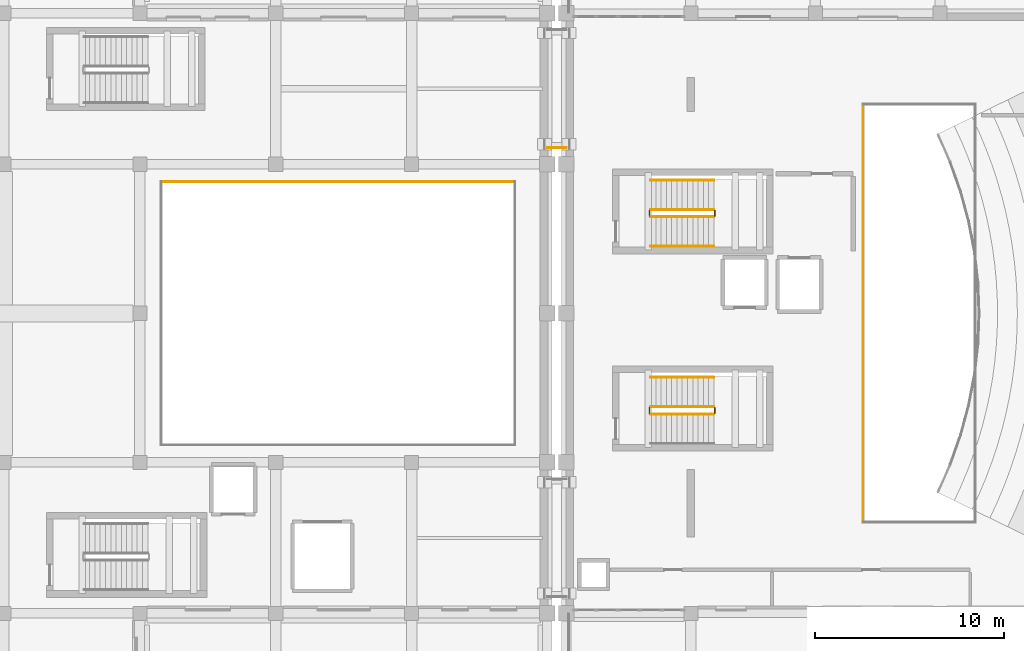
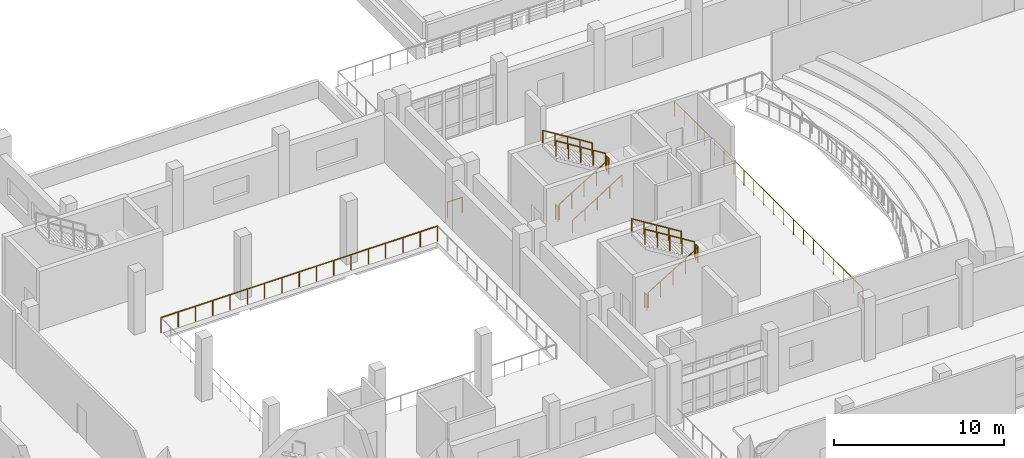
# One storey, part 50 of 54: 14 railings.
"""IFC4 building model written with IfcOpenShell, lengths in metres."""

from ifc_helpers import new_model, si_unit, direction, frame, origin, origin_2d, place, context, subcontext, project, spatial, circle, extrude, material, type_object, element, save


model = new_model("IFC4")

# Units and contexts
model_context = context("Model", 3, precision=1e-05, world=origin(), true_north=direction((0.0, 1.0)))
body_context = subcontext(model_context, "Body", "Model", "MODEL_VIEW")
ifc_project = project(units=[si_unit("LENGTHUNIT", "METRE"), si_unit("AREAUNIT", "SQUARE_METRE"), si_unit("VOLUMEUNIT", "CUBIC_METRE"), si_unit("PLANEANGLEUNIT", "RADIAN"), si_unit("MASSUNIT", "GRAM", prefix="KILO")], contexts=[model_context])

# Site, building, storey
site_placement = place(None, origin())
site = spatial("IfcSite", under=ifc_project, at=site_placement, CompositionType="ELEMENT")
building_placement = place(site_placement, origin())
building = spatial("IfcBuilding", under=site, at=building_placement, Name="Kelarvand Opera House", CompositionType="ELEMENT")
storey_placement = place(building_placement, frame((0.0, 0.0, 15.0)))
storey = spatial("IfcBuildingStorey", under=building, at=storey_placement, Name="L03", CompositionType="ELEMENT", Elevation=15.0)

# Railings
ifc_material_1 = material(Name="Brushed bronze tubular rail")
railing_type_1 = type_object("IfcRailingType", Name="Brushed Bronze Stair Wall Handrail 900", PredefinedType="HANDRAIL", material=ifc_material_1)
railing_1_placement = place(storey_placement, frame((93.4599609375, 66.050048828125, 0.173095703125)))
element("IfcRailing", 1, at=railing_1_placement, inside=storey, type_object=railing_type_1, Name="L03 ST-01 stair handrail 1", PredefinedType="HANDRAIL", context=body_context, shape_type="SweptSolid", body=[
    extrude(circle(Radius=0.02392578125, at=origin_2d()), frame((0.0, 0.0, 0.8759765625), z_axis=(0.850623216509, 0.0, 0.525775754039), x_axis=(0.0, 1.0, 0.0)), (0.0, 0.0, 1.0), 3.9501953125),
    extrude(circle(Radius=0.02099609375, at=origin_2d()), origin(), (0.0, 0.0, 1.0), 0.851806640625),
    extrude(circle(Radius=0.02099609375, at=origin_2d()), frame((0.840087890625, 0.0, 0.519287109375)), (0.0, 0.0, 1.0), 0.851806640625),
    extrude(circle(Radius=0.02099609375, at=origin_2d()), frame((1.68017578125, 0.0, 1.03857421875)), (0.0, 0.0, 1.0), 0.851806640625),
    extrude(circle(Radius=0.02099609375, at=origin_2d()), frame((2.52001953125, 0.0, 1.5576171875)), (0.0, 0.0, 1.0), 0.851806640625),
    extrude(circle(Radius=0.02099609375, at=origin_2d()), frame((3.360107421875, 0.0, 2.076904296875)), (0.0, 0.0, 1.0), 0.851806640625),
])
for number, where, name in (
    (2, (96.820068359375, 69.550048828125, 2.423095703125), "L03 ST-01 stair handrail 2"),
    (3, (96.820068359375, 59.10009765625, 2.423095703125), "L03 ST-04 stair handrail 2"),
):
    element("IfcRailing", number, at=place(storey_placement, frame(where)), inside=storey, type_object=railing_type_1, Name=name, PredefinedType="HANDRAIL", context=body_context, shape_type="SweptSolid", body=[
        extrude(circle(Radius=0.02392578125, at=origin_2d()), frame((0.0, 0.0, 0.8759765625), z_axis=(-0.850623216509, 0.0, 0.525775754039), x_axis=(0.0, -1.0, 0.0)), (0.0, 0.0, 1.0), 3.9501953125),
        extrude(circle(Radius=0.02099609375, at=origin_2d()), origin(), (0.0, 0.0, 1.0), 0.851806640625),
        extrude(circle(Radius=0.02099609375, at=origin_2d()), frame((-0.840087890625, 0.0, 0.519287109375)), (0.0, 0.0, 1.0), 0.851806640625),
        extrude(circle(Radius=0.02099609375, at=origin_2d()), frame((-1.68017578125, 0.0, 1.03857421875)), (0.0, 0.0, 1.0), 0.851806640625),
        extrude(circle(Radius=0.02099609375, at=origin_2d()), frame((-2.52001953125, 0.0, 1.5576171875)), (0.0, 0.0, 1.0), 0.851806640625),
        extrude(circle(Radius=0.02099609375, at=origin_2d()), frame((-3.360107421875, 0.0, 2.076904296875)), (0.0, 0.0, 1.0), 0.851806640625),
    ])
ifc_material_2 = material(Name="Laminated safety glass with bronze cap rail", Category="glass")
railing_type_2 = type_object("IfcRailingType", Name="Laminated Glass and Bronze Foyer Balustrade 1120", PredefinedType="BALUSTRADE", material=ifc_material_2)
railing_2_placement = place(storey_placement, frame((104.719970703125, 51.419921875, 0.0)))
element("IfcRailing", 4, at=railing_2_placement, inside=storey, type_object=railing_type_2, Name="V1 L03 Balustrade 83", PredefinedType="BALUSTRADE", context=body_context, shape_type="SweptSolid", body=[
    extrude(circle(Radius=0.02392578125, at=origin_2d()), frame((0.0, 0.0, 1.09619140625), z_axis=(0.0, 1.0, 0.0), x_axis=(-1.0, 0.0, 0.0)), (0.0, 0.0, 1.0), 22.16015625),
    extrude(circle(Radius=0.02099609375, at=origin_2d()), origin(), (0.0, 0.0, 1.0), 1.072021484375),
    extrude(circle(Radius=0.02099609375, at=origin_2d()), frame((0.0, 1.166259765625, 0.0)), (0.0, 0.0, 1.0), 1.072021484375),
    extrude(circle(Radius=0.02099609375, at=origin_2d()), frame((0.0, 2.332763671875, 0.0)), (0.0, 0.0, 1.0), 1.072021484375),
    extrude(circle(Radius=0.02099609375, at=origin_2d()), frame((0.0, 3.4990234375, 0.0)), (0.0, 0.0, 1.0), 1.072021484375),
    extrude(circle(Radius=0.02099609375, at=origin_2d()), frame((0.0, 4.665283203125, 0.0)), (0.0, 0.0, 1.0), 1.072021484375),
    extrude(circle(Radius=0.02099609375, at=origin_2d()), frame((0.0, 5.83154296875, 0.0)), (0.0, 0.0, 1.0), 1.072021484375),
    extrude(circle(Radius=0.02099609375, at=origin_2d()), frame((0.0, 6.998046875, 0.0)), (0.0, 0.0, 1.0), 1.072021484375),
    extrude(circle(Radius=0.02099609375, at=origin_2d()), frame((0.0, 8.164306640625, 0.0)), (0.0, 0.0, 1.0), 1.072021484375),
    extrude(circle(Radius=0.02099609375, at=origin_2d()), frame((0.0, 9.33056640625, 0.0)), (0.0, 0.0, 1.0), 1.072021484375),
    extrude(circle(Radius=0.02099609375, at=origin_2d()), frame((0.0, 10.496826171875, 0.0)), (0.0, 0.0, 1.0), 1.072021484375),
    extrude(circle(Radius=0.02099609375, at=origin_2d()), frame((0.0, 11.663330078125, 0.0)), (0.0, 0.0, 1.0), 1.072021484375),
    extrude(circle(Radius=0.02099609375, at=origin_2d()), frame((0.0, 12.82958984375, 0.0)), (0.0, 0.0, 1.0), 1.072021484375),
    extrude(circle(Radius=0.02099609375, at=origin_2d()), frame((0.0, 13.995849609375, 0.0)), (0.0, 0.0, 1.0), 1.072021484375),
    extrude(circle(Radius=0.02099609375, at=origin_2d()), frame((0.0, 15.162109375, 0.0)), (0.0, 0.0, 1.0), 1.072021484375),
    extrude(circle(Radius=0.02099609375, at=origin_2d()), frame((0.0, 16.32861328125, 0.0)), (0.0, 0.0, 1.0), 1.072021484375),
    extrude(circle(Radius=0.02099609375, at=origin_2d()), frame((0.0, 17.494873046875, 0.0)), (0.0, 0.0, 1.0), 1.072021484375),
    extrude(circle(Radius=0.02099609375, at=origin_2d()), frame((0.0, 18.6611328125, 0.0)), (0.0, 0.0, 1.0), 1.072021484375),
    extrude(circle(Radius=0.02099609375, at=origin_2d()), frame((0.0, 19.827392578125, 0.0)), (0.0, 0.0, 1.0), 1.072021484375),
    extrude(circle(Radius=0.02099609375, at=origin_2d()), frame((0.0, 20.993896484375, 0.0)), (0.0, 0.0, 1.0), 1.072021484375),
    extrude(circle(Radius=0.02099609375, at=origin_2d()), frame((0.0, 22.16015625, 0.0)), (0.0, 0.0, 1.0), 1.072021484375),
])
railing_3_placement = place(storey_placement, frame((88.0, 71.280029296875, 0.0)))
element("IfcRailing", 5, at=railing_3_placement, inside=storey, type_object=railing_type_2, Name="V1 L03 Balustrade 141", PredefinedType="BALUSTRADE", context=body_context, shape_type="SweptSolid", body=[
    extrude(circle(Radius=0.02392578125, at=origin_2d()), frame((0.0, 0.0, 1.09619140625), z_axis=(1.0, 0.0, 0.0), x_axis=(0.0, 1.0, 0.0)), (0.0, 0.0, 1.0), 1.0),
    extrude(circle(Radius=0.02099609375, at=origin_2d()), origin(), (0.0, 0.0, 1.0), 1.072021484375),
    extrude(circle(Radius=0.02099609375, at=origin_2d()), frame((1.0, 0.0, 0.0)), (0.0, 0.0, 1.0), 1.072021484375),
])
ifc_material_3 = material(Name="Powder-coated Steel S355", Category="steel")
railing_type_3 = type_object("IfcRailingType", Name="Painted Steel Stair and Void Guardrail 1100", PredefinedType="GUARDRAIL", material=ifc_material_3)
railing_4_placement = place(storey_placement, frame((93.4599609375, 67.610107421875, 0.173095703125)))
element("IfcRailing", 6, at=railing_4_placement, inside=storey, type_object=railing_type_3, Name="L03 ST-01 stair guard 1", PredefinedType="GUARDRAIL", context=body_context, shape_type="SweptSolid", body=[
    extrude(circle(Radius=0.02392578125, at=origin_2d()), frame((0.0, 0.0, 1.076171875), z_axis=(0.850623216509, 0.0, 0.525775754039), x_axis=(0.0, 1.0, 0.0)), (0.0, 0.0, 1.0), 3.9501953125),
    extrude(circle(Radius=0.02099609375, at=origin_2d()), origin(), (0.0, 0.0, 1.0), 1.052001953125),
    extrude(circle(Radius=0.02099609375, at=origin_2d()), frame((0.840087890625, 0.0, 0.519287109375)), (0.0, 0.0, 1.0), 1.052001953125),
    extrude(circle(Radius=0.02099609375, at=origin_2d()), frame((1.68017578125, 0.0, 1.03857421875)), (0.0, 0.0, 1.0), 1.052001953125),
    extrude(circle(Radius=0.02099609375, at=origin_2d()), frame((2.52001953125, 0.0, 1.5576171875)), (0.0, 0.0, 1.0), 1.052001953125),
    extrude(circle(Radius=0.02099609375, at=origin_2d()), frame((3.360107421875, 0.0, 2.076904296875)), (0.0, 0.0, 1.0), 1.052001953125),
])
railing_5_placement = place(storey_placement, frame((96.8701171875, 67.659912109375, 2.25)))
element("IfcRailing", 7, at=railing_5_placement, inside=storey, type_object=railing_type_3, Name="L03 ST-01 stair guard 2", PredefinedType="GUARDRAIL", context=body_context, shape_type="SweptSolid", body=[
    extrude(circle(Radius=0.02392578125, at=origin_2d()), frame((0.0, 0.0, 1.076171875), z_axis=(0.0, 1.0, 0.0), x_axis=(-1.0, 0.0, 0.0)), (0.0, 0.0, 1.0), 0.280029296875),
    extrude(circle(Radius=0.02099609375, at=origin_2d()), origin(), (0.0, 0.0, 1.0), 1.052001953125),
    extrude(circle(Radius=0.02099609375, at=origin_2d()), frame((0.0, 0.280029296875, 0.0)), (0.0, 0.0, 1.0), 1.052001953125),
])
railing_6_placement = place(storey_placement, frame((96.820068359375, 67.989990234375, 2.423095703125)))
element("IfcRailing", 8, at=railing_6_placement, inside=storey, type_object=railing_type_3, Name="L03 ST-01 stair guard 3", PredefinedType="GUARDRAIL", context=body_context, shape_type="SweptSolid", body=[
    extrude(circle(Radius=0.02392578125, at=origin_2d()), frame((0.0, 0.0, 1.076171875), z_axis=(-0.850623216509, 0.0, 0.525775754039), x_axis=(0.0, -1.0, 0.0)), (0.0, 0.0, 1.0), 3.9501953125),
    extrude(circle(Radius=0.02099609375, at=origin_2d()), origin(), (0.0, 0.0, 1.0), 1.052001953125),
    extrude(circle(Radius=0.02099609375, at=origin_2d()), frame((-0.840087890625, 0.0, 0.519287109375)), (0.0, 0.0, 1.0), 1.052001953125),
    extrude(circle(Radius=0.02099609375, at=origin_2d()), frame((-1.68017578125, 0.0, 1.03857421875)), (0.0, 0.0, 1.0), 1.052001953125),
    extrude(circle(Radius=0.02099609375, at=origin_2d()), frame((-2.52001953125, 0.0, 1.5576171875)), (0.0, 0.0, 1.0), 1.052001953125),
    extrude(circle(Radius=0.02099609375, at=origin_2d()), frame((-3.360107421875, 0.0, 2.076904296875)), (0.0, 0.0, 1.0), 1.052001953125),
])
railing_7_placement = place(storey_placement, frame((93.409912109375, 67.659912109375, 0.0)))
element("IfcRailing", 9, at=railing_7_placement, inside=storey, type_object=railing_type_3, Name="L03 ST-01 stair guard 4", PredefinedType="GUARDRAIL", context=body_context, shape_type="SweptSolid", body=[
    extrude(circle(Radius=0.02392578125, at=origin_2d()), frame((0.0, 0.0, 1.076171875), z_axis=(0.0, 1.0, 0.0), x_axis=(-1.0, 0.0, 0.0)), (0.0, 0.0, 1.0), 0.280029296875),
    extrude(circle(Radius=0.02099609375, at=origin_2d()), origin(), (0.0, 0.0, 1.0), 1.052001953125),
    extrude(circle(Radius=0.02099609375, at=origin_2d()), frame((0.0, 0.280029296875, 0.0)), (0.0, 0.0, 1.0), 1.052001953125),
])
railing_8_placement = place(storey_placement, frame((93.4599609375, 57.159912109375, 0.173095703125)))
element("IfcRailing", 10, at=railing_8_placement, inside=storey, type_object=railing_type_3, Name="L03 ST-04 stair guard 1", PredefinedType="GUARDRAIL", context=body_context, shape_type="SweptSolid", body=[
    extrude(circle(Radius=0.02392578125, at=origin_2d()), frame((0.0, 0.0, 1.076171875), z_axis=(0.850623216509, 0.0, 0.525775754039), x_axis=(0.0, 1.0, 0.0)), (0.0, 0.0, 1.0), 3.9501953125),
    extrude(circle(Radius=0.02099609375, at=origin_2d()), origin(), (0.0, 0.0, 1.0), 1.052001953125),
    extrude(circle(Radius=0.02099609375, at=origin_2d()), frame((0.840087890625, 0.0, 0.519287109375)), (0.0, 0.0, 1.0), 1.052001953125),
    extrude(circle(Radius=0.02099609375, at=origin_2d()), frame((1.68017578125, 0.0, 1.03857421875)), (0.0, 0.0, 1.0), 1.052001953125),
    extrude(circle(Radius=0.02099609375, at=origin_2d()), frame((2.52001953125, 0.0, 1.5576171875)), (0.0, 0.0, 1.0), 1.052001953125),
    extrude(circle(Radius=0.02099609375, at=origin_2d()), frame((3.360107421875, 0.0, 2.076904296875)), (0.0, 0.0, 1.0), 1.052001953125),
])
railing_9_placement = place(storey_placement, frame((96.8701171875, 57.2099609375, 2.25)))
element("IfcRailing", 11, at=railing_9_placement, inside=storey, type_object=railing_type_3, Name="L03 ST-04 stair guard 2", PredefinedType="GUARDRAIL", context=body_context, shape_type="SweptSolid", body=[
    extrude(circle(Radius=0.02392578125, at=origin_2d()), frame((0.0, 0.0, 1.076171875), z_axis=(0.0, 1.0, 0.0), x_axis=(-1.0, 0.0, 0.0)), (0.0, 0.0, 1.0), 0.280029296875),
    extrude(circle(Radius=0.02099609375, at=origin_2d()), origin(), (0.0, 0.0, 1.0), 1.052001953125),
    extrude(circle(Radius=0.02099609375, at=origin_2d()), frame((0.0, 0.280029296875, 0.0)), (0.0, 0.0, 1.0), 1.052001953125),
])
railing_10_placement = place(storey_placement, frame((96.820068359375, 57.5400390625, 2.423095703125)))
element("IfcRailing", 12, at=railing_10_placement, inside=storey, type_object=railing_type_3, Name="L03 ST-04 stair guard 3", PredefinedType="GUARDRAIL", context=body_context, shape_type="SweptSolid", body=[
    extrude(circle(Radius=0.02392578125, at=origin_2d()), frame((0.0, 0.0, 1.076171875), z_axis=(-0.850623216509, 0.0, 0.525775754039), x_axis=(0.0, -1.0, 0.0)), (0.0, 0.0, 1.0), 3.9501953125),
    extrude(circle(Radius=0.02099609375, at=origin_2d()), origin(), (0.0, 0.0, 1.0), 1.052001953125),
    extrude(circle(Radius=0.02099609375, at=origin_2d()), frame((-0.840087890625, 0.0, 0.519287109375)), (0.0, 0.0, 1.0), 1.052001953125),
    extrude(circle(Radius=0.02099609375, at=origin_2d()), frame((-1.68017578125, 0.0, 1.03857421875)), (0.0, 0.0, 1.0), 1.052001953125),
    extrude(circle(Radius=0.02099609375, at=origin_2d()), frame((-2.52001953125, 0.0, 1.5576171875)), (0.0, 0.0, 1.0), 1.052001953125),
    extrude(circle(Radius=0.02099609375, at=origin_2d()), frame((-3.360107421875, 0.0, 2.076904296875)), (0.0, 0.0, 1.0), 1.052001953125),
])
railing_11_placement = place(storey_placement, frame((93.409912109375, 57.2099609375, 0.0)))
element("IfcRailing", 13, at=railing_11_placement, inside=storey, type_object=railing_type_3, Name="L03 ST-04 stair guard 4", PredefinedType="GUARDRAIL", context=body_context, shape_type="SweptSolid", body=[
    extrude(circle(Radius=0.02392578125, at=origin_2d()), frame((0.0, 0.0, 1.076171875), z_axis=(0.0, 1.0, 0.0), x_axis=(-1.0, 0.0, 0.0)), (0.0, 0.0, 1.0), 0.280029296875),
    extrude(circle(Radius=0.02099609375, at=origin_2d()), origin(), (0.0, 0.0, 1.0), 1.052001953125),
    extrude(circle(Radius=0.02099609375, at=origin_2d()), frame((0.0, 0.280029296875, 0.0)), (0.0, 0.0, 1.0), 1.052001953125),
])
railing_12_placement = place(storey_placement, frame((67.52001953125, 69.47998046875, 0.0)))
element("IfcRailing", 14, at=railing_12_placement, inside=storey, type_object=railing_type_3, Name="V2 L03 Guardrail 88", PredefinedType="GUARDRAIL", context=body_context, shape_type="SweptSolid", body=[
    extrude(circle(Radius=0.02392578125, at=origin_2d()), frame((0.0, 0.0, 1.076171875), z_axis=(1.0, 0.0, 0.0), x_axis=(0.0, 1.0, 0.0)), (0.0, 0.0, 1.0), 18.760009765625),
    extrude(circle(Radius=0.02099609375, at=origin_2d()), origin(), (0.0, 0.0, 1.0), 1.052001953125),
    extrude(circle(Radius=0.02099609375, at=origin_2d()), frame((1.172607421875, 0.0, 0.0)), (0.0, 0.0, 1.0), 1.052001953125),
    extrude(circle(Radius=0.02099609375, at=origin_2d()), frame((2.344970703125, 0.0, 0.0)), (0.0, 0.0, 1.0), 1.052001953125),
    extrude(circle(Radius=0.02099609375, at=origin_2d()), frame((3.517578125, 0.0, 0.0)), (0.0, 0.0, 1.0), 1.052001953125),
    extrude(circle(Radius=0.02099609375, at=origin_2d()), frame((4.68994140625, 0.0, 0.0)), (0.0, 0.0, 1.0), 1.052001953125),
    extrude(circle(Radius=0.02099609375, at=origin_2d()), frame((5.862548828125, 0.0, 0.0)), (0.0, 0.0, 1.0), 1.052001953125),
    extrude(circle(Radius=0.02099609375, at=origin_2d()), frame((7.034912109375, 0.0, 0.0)), (0.0, 0.0, 1.0), 1.052001953125),
    extrude(circle(Radius=0.02099609375, at=origin_2d()), frame((8.20751953125, 0.0, 0.0)), (0.0, 0.0, 1.0), 1.052001953125),
    extrude(circle(Radius=0.02099609375, at=origin_2d()), frame((9.3798828125, 0.0, 0.0)), (0.0, 0.0, 1.0), 1.052001953125),
    extrude(circle(Radius=0.02099609375, at=origin_2d()), frame((10.552490234375, 0.0, 0.0)), (0.0, 0.0, 1.0), 1.052001953125),
    extrude(circle(Radius=0.02099609375, at=origin_2d()), frame((11.72509765625, 0.0, 0.0)), (0.0, 0.0, 1.0), 1.052001953125),
    extrude(circle(Radius=0.02099609375, at=origin_2d()), frame((12.8974609375, 0.0, 0.0)), (0.0, 0.0, 1.0), 1.052001953125),
    extrude(circle(Radius=0.02099609375, at=origin_2d()), frame((14.070068359375, 0.0, 0.0)), (0.0, 0.0, 1.0), 1.052001953125),
    extrude(circle(Radius=0.02099609375, at=origin_2d()), frame((15.242431640625, 0.0, 0.0)), (0.0, 0.0, 1.0), 1.052001953125),
    extrude(circle(Radius=0.02099609375, at=origin_2d()), frame((16.4150390625, 0.0, 0.0)), (0.0, 0.0, 1.0), 1.052001953125),
    extrude(circle(Radius=0.02099609375, at=origin_2d()), frame((17.58740234375, 0.0, 0.0)), (0.0, 0.0, 1.0), 1.052001953125),
    extrude(circle(Radius=0.02099609375, at=origin_2d()), frame((18.760009765625, 0.0, 0.0)), (0.0, 0.0, 1.0), 1.052001953125),
])

save(model, "model.ifc")
